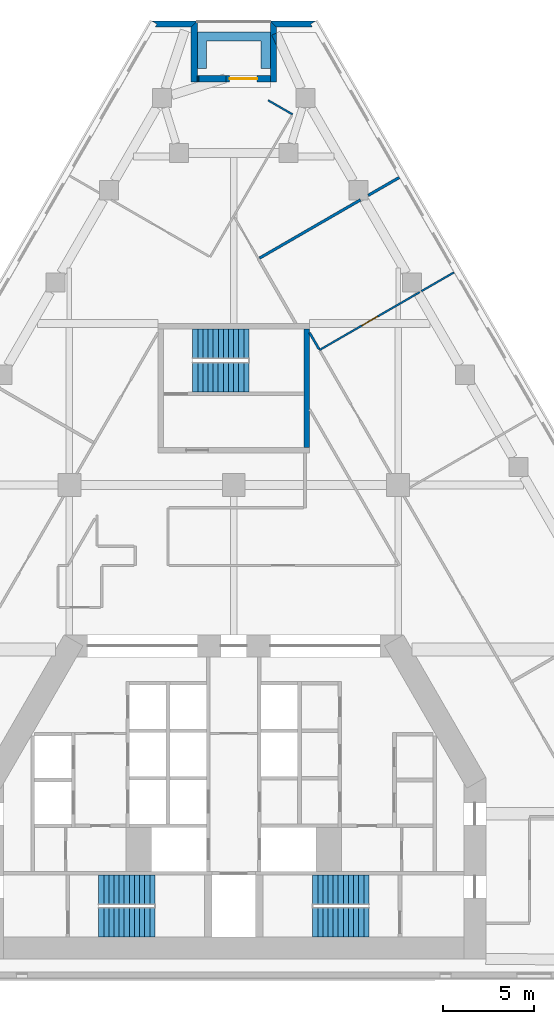
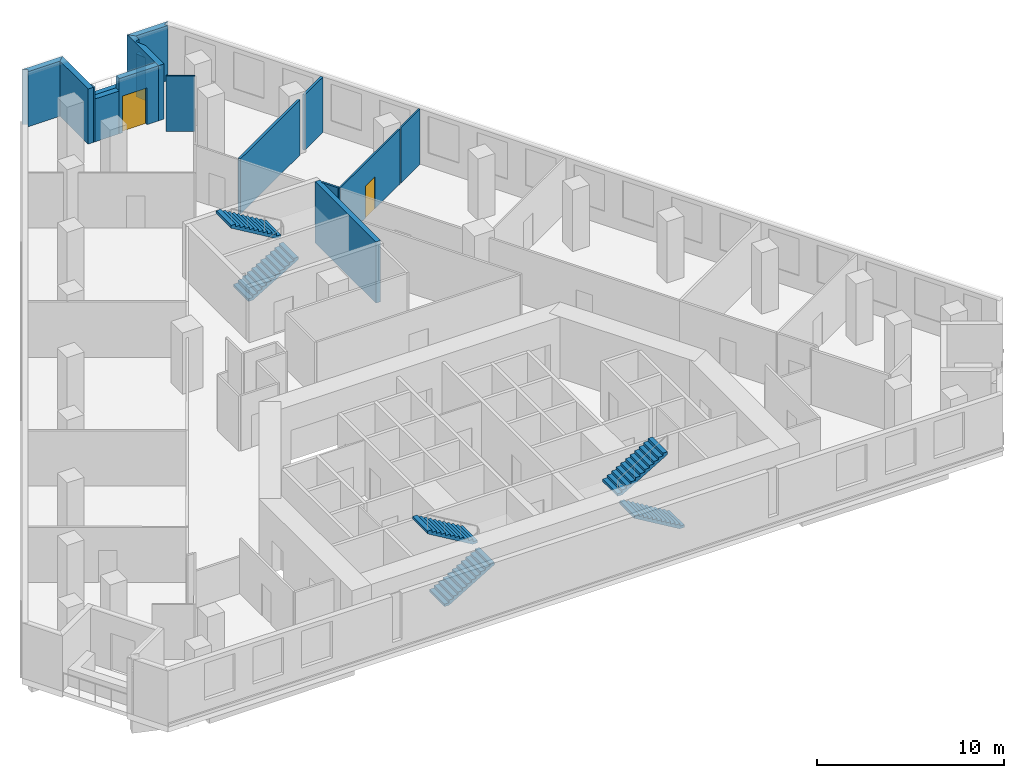
# One storey, part 9 of 10: 16 walls, 6 stair flights, 2 doors, 2 openings, 3 elements without a shape of their own.
"""IFC4 building model written with IfcOpenShell, lengths in metres."""

from ifc_helpers import new_model, si_unit, direction, frame, frame_2d, origin, place, context, subcontext, project, spatial, polyline, rectangle, outline, extrude, material, layer, layer_set, type_object, element, fill, aggregate, save


model = new_model("IFC4")

# Units and contexts
model_context = context("Model", 3, precision=1e-05, world=origin(), true_north=direction((0.0, 1.0)))
body_context = subcontext(model_context, "Body", "Model", "MODEL_VIEW")
ifc_project = project(units=[si_unit("LENGTHUNIT", "METRE"), si_unit("AREAUNIT", "SQUARE_METRE"), si_unit("VOLUMEUNIT", "CUBIC_METRE"), si_unit("PLANEANGLEUNIT", "RADIAN"), si_unit("MASSUNIT", "GRAM", prefix="KILO")], contexts=[model_context])

# Site, building, storey
site_placement = place(None, origin())
site = spatial("IfcSite", under=ifc_project, at=site_placement, CompositionType="ELEMENT")
building_placement = place(site_placement, origin())
building = spatial("IfcBuilding", under=site, at=building_placement, Name="Fogline Exchange Tower", CompositionType="ELEMENT")
storey_placement = place(building_placement, frame((0.0, 0.0, 116.10009765625)))
storey = spatial("IfcBuildingStorey", under=building, at=storey_placement, Name="L25", CompositionType="ELEMENT", Elevation=116.10009765625)

# Walls
ifc_material_1 = material(Name="Concrete C40", Category="concrete")
ifc_layer_1 = layer(ifc_material_1, 0.300048828125)
ifc_layer_set_1 = layer_set([ifc_layer_1], Name="CW30")
wall_type_1 = type_object("IfcWallType", Name="CW30", PredefinedType="SOLIDWALL", material=ifc_layer_set_1)
wall_1_placement = place(storey_placement, frame((4.0, 29.056884765625, -0.400146484375), z_axis=(0.0, 0.0, 1.0), x_axis=(0.0, 1.0, 0.0)))
element("IfcWall", 1, at=wall_1_placement, inside=storey, type_object=wall_type_1, Name="Stair enclosure wall ST3", PredefinedType="SOLIDWALL", context=body_context, shape_type="SweptSolid", body=[
    extrude(rectangle(XDim=6.5, YDim=0.300048828125, at=frame_2d((3.25, 0.0))), origin(), (0.0, 0.0, 1.0), 4.0),
])
ifc_material_2 = material(Name="Brick masonry", Category="masonry")
ifc_layer_2 = layer(ifc_material_2, 0.340087890625)
ifc_layer_set_2 = layer_set([ifc_layer_2], Name="FW1")
wall_type_2 = type_object("IfcWallType", Name="FW1", PredefinedType="SOLIDWALL", material=ifc_layer_set_2)
wall_2_placement = place(storey_placement, origin())
element("IfcWall", 2, at=wall_2_placement, inside=storey, type_object=wall_type_2, Name="Brick wall L25 N-c1", PredefinedType="SOLIDWALL", context=body_context, shape_type="SweptSolid", body=[
    extrude(outline(polyline([(1.9990234375, 52.42236328125), (4.5009765625, 52.42236328125), (4.501220703125, 52.421630859375), (4.206298828125, 52.25146484375), (4.3046875, 52.0810546875), (2.33984375, 52.0810546875), (1.998779296875, 52.421875), (1.9990234375, 52.42236328125)])), origin(), (0.0, 0.0, 1.0), 3.599853515625),
])
wall_3_placement = place(storey_placement, origin())
element("IfcWall", 3, at=wall_3_placement, inside=storey, type_object=wall_type_2, Name="Brick wall L25 N-s1", PredefinedType="SOLIDWALL", context=body_context, shape_type="SweptSolid", body=[
    extrude(outline(polyline([(2.340576171875, 51.06884765625), (2.079345703125, 51.642578125), (2.340576171875, 51.761474609375), (2.340576171875, 51.06884765625)])), origin(), (0.0, 0.0, 1.0), 2.7998046875),
])
wall_4_placement = place(storey_placement, origin())
element("IfcWall", 4, at=wall_4_placement, inside=storey, type_object=wall_type_2, Name="Brick wall L25 N-s1", PredefinedType="SOLIDWALL", context=body_context, shape_type="SweptSolid", body=[
    extrude(outline(polyline([(1.99951171875, 49.0810546875), (1.99951171875, 52.422607421875), (1.999755859375, 52.4228515625), (2.340576171875, 52.081787109375), (2.340576171875, 51.761474609375), (2.079345703125, 51.642578125), (2.340576171875, 51.06884765625), (2.340576171875, 49.0810546875), (1.99951171875, 49.0810546875)])), origin(), (0.0, 0.0, 1.0), 3.599853515625),
])

# Wall, opening, door
wall_5_placement = place(storey_placement, frame((2.0, 49.251708984375, 0.0), z_axis=(0.0, 0.0, 1.0), x_axis=(-1.0, 0.0, 0.0)))
wall_5 = element("IfcWall", 5, at=wall_5_placement, inside=storey, type_object=wall_type_2, Name="Brick wall L25 N-bk", PredefinedType="SOLIDWALL", context=body_context, shape_type="SweptSolid", body=[
    extrude(rectangle(XDim=2.421142578125, YDim=0.340087890625, at=frame_2d((1.21044921875, 0.0))), origin(), (0.0, 0.0, 1.0), 3.599853515625),
])
opening_1_placement = place(wall_5_placement, frame((0.72119140625, 0.0, 0.0)))
opening_1 = element("IfcOpeningElement", 6, at=opening_1_placement, cuts=wall_5, Name="Opening T07-E141", PredefinedType="OPENING", context=body_context, shape_type="SweptSolid", body=[
    extrude(rectangle(XDim=1.5, YDim=2.39990234375, at=frame_2d((0.75, 1.199951171875))), frame((0.0, 0.18017578125, 0.0), z_axis=(0.0, -1.0, 0.0), x_axis=(1.0, 0.0, 0.0)), (0.0, 0.0, 1.0), 0.360107421875),
])
ifc_material_3 = material(Name="Aluminium and glass", Category="aluminium")
door_type_1 = type_object("IfcDoorType", Name="ED4", OperationType="SINGLE_SWING_LEFT", PredefinedType="DOOR", material=ifc_material_3)
door_1_placement = place(opening_1_placement, frame((1.5, 0.0, 0.0), z_axis=(0.0, 0.0, 1.0), x_axis=(-1.0, 0.0, 0.0)))
door_1 = element("IfcDoor", 7, at=door_1_placement, inside=storey, type_object=door_type_1, Name="Balcony door L25 N", OperationType="DOUBLE_DOOR_SINGLE_SWING", OverallHeight=2.39990234375, OverallWidth=1.5, PredefinedType="DOOR", context=body_context, shape_type="SweptSolid", body=[
    extrude(rectangle(XDim=1.5, YDim=2.39990234375, at=frame_2d((0.75, 1.199951171875))), frame((0.0, 0.02490234375, 0.0), z_axis=(0.0, -1.0, 0.0), x_axis=(1.0, 0.0, 0.0)), (0.0, 0.0, 1.0), 0.050048828125),
])
fill(opening_1, door_1)

# Walls
wall_6_placement = place(storey_placement, frame((-0.421142578125, 49.251708984375, 0.0), z_axis=(0.0, 0.0, 1.0), x_axis=(-1.0, 0.0, 0.0)))
element("IfcWall", 8, at=wall_6_placement, inside=storey, type_object=wall_type_2, Name="Brick wall L25 N-bk", PredefinedType="SOLIDWALL", context=body_context, shape_type="SweptSolid", body=[
    extrude(rectangle(XDim=1.50830078125, YDim=0.340087890625, at=frame_2d((0.754150390625, 0.0))), origin(), (0.0, 0.0, 1.0), 2.7998046875),
])
wall_7_placement = place(storey_placement, frame((-1.929443359375, 49.251708984375, 0.0), z_axis=(0.0, 0.0, 1.0), x_axis=(-1.0, 0.0, 0.0)))
element("IfcWall", 9, at=wall_7_placement, inside=storey, type_object=wall_type_2, Name="Brick wall L25 N-bk", PredefinedType="SOLIDWALL", context=body_context, shape_type="SweptSolid", body=[
    extrude(rectangle(XDim=0.070556640625, YDim=0.340087890625, at=frame_2d((0.03515625, 0.0))), origin(), (0.0, 0.0, 1.0), 3.599853515625),
])
wall_8_placement = place(storey_placement, origin())
element("IfcWall", 10, at=wall_8_placement, inside=storey, type_object=wall_type_2, Name="Brick wall L25 N-s2", PredefinedType="SOLIDWALL", context=body_context, shape_type="SweptSolid", body=[
    extrude(outline(polyline([(-1.99951171875, 52.422607421875), (-1.99951171875, 49.0810546875), (-2.340576171875, 49.0810546875), (-2.340576171875, 52.081787109375), (-1.999755859375, 52.4228515625), (-1.99951171875, 52.422607421875)])), origin(), (0.0, 0.0, 1.0), 3.599853515625),
])
wall_9_placement = place(storey_placement, origin())
element("IfcWall", 11, at=wall_9_placement, inside=storey, type_object=wall_type_2, Name="Brick wall L25 N-c2", PredefinedType="SOLIDWALL", context=body_context, shape_type="SweptSolid", body=[
    extrude(outline(polyline([(-4.3046875, 52.0810546875), (-4.206298828125, 52.25146484375), (-4.501220703125, 52.421630859375), (-4.5009765625, 52.42236328125), (-1.9990234375, 52.42236328125), (-1.998779296875, 52.421875), (-2.33984375, 52.0810546875), (-4.3046875, 52.0810546875)])), origin(), (0.0, 0.0, 1.0), 3.599853515625),
])
ifc_material_4 = material(Name="Concrete C30", Category="concrete")
ifc_layer_3 = layer(ifc_material_4, 0.199951171875)
ifc_layer_set_3 = layer_set([ifc_layer_3], Name="PL1")
wall_type_3 = type_object("IfcWallType", Name="PL1", PredefinedType="USERDEFINED", material=ifc_layer_set_3)
wall_10_placement = place(storey_placement, origin())
element("IfcWall", 12, at=wall_10_placement, inside=storey, type_object=wall_type_3, Name="PLANTER balcony L25 N", ObjectType="PLANTER", PredefinedType="USERDEFINED", context=body_context, shape_type="SweptSolid", body=[
    extrude(outline(polyline([(-1.5, 51.82177734375), (-2.0, 51.82177734375), (-2.0, 51.32177734375), (-2.0, 49.82177734375), (-1.5, 49.82177734375), (-1.5, 51.32177734375), (1.5, 51.32177734375), (1.5, 49.82177734375), (2.0, 49.82177734375), (2.0, 51.32177734375), (2.0, 51.82177734375), (1.5, 51.82177734375), (-1.5, 51.82177734375)])), origin(), (0.0, 0.0, 1.0), 1.099853515625),
])

# Wall, opening, door
ifc_material_5 = material(Name="Plasterboard partition, 2 layers each side on steel studs", Category="steel")
ifc_layer_4 = layer(ifc_material_5, 0.10009765625)
ifc_layer_set_4 = layer_set([ifc_layer_4], Name="PW1")
wall_type_4 = type_object("IfcWallType", Name="PW1", PredefinedType="PARTITIONING", material=ifc_layer_set_4)
wall_11_placement = place(storey_placement, frame((4.697265625, 34.39990234375, 0.0), z_axis=(0.0, 0.0, 1.0), x_axis=(0.866029176715, 0.499993465035, 0.0)))
wall_11 = element("IfcWall", 13, at=wall_11_placement, inside=storey, type_object=wall_type_4, Name="wall-L25-W035", PredefinedType="PARTITIONING", context=body_context, shape_type="SweptSolid", body=[
    extrude(rectangle(XDim=6.34228515625, YDim=0.10009765625, at=frame_2d((3.171142578125, 0.0))), origin(), (0.0, 0.0, 1.0), 3.599853515625),
])
opening_2_placement = place(wall_11_placement, frame((2.671142578125, 0.0, 0.0)))
opening_2 = element("IfcOpeningElement", 14, at=opening_2_placement, cuts=wall_11, Name="Opening T07-D014", PredefinedType="OPENING", context=body_context, shape_type="SweptSolid", body=[
    extrude(rectangle(XDim=1.0, YDim=2.10009765625, at=frame_2d((0.5, 1.050048828125))), frame((0.0, 0.06005859375, 0.0), z_axis=(0.0, -1.0, 0.0), x_axis=(1.0, 0.0, 0.0)), (0.0, 0.0, 1.0), 0.1201171875),
])
ifc_material_6 = material(Name="Timber door leaf with steel frame", Category="steel")
door_type_2 = type_object("IfcDoorType", Name="D1", OperationType="SINGLE_SWING_LEFT", PredefinedType="DOOR", material=ifc_material_6)
door_2_placement = place(opening_2_placement, origin())
door_2 = element("IfcDoor", 15, at=door_2_placement, inside=storey, type_object=door_type_2, Name="door-L25-D014", OperationType="SINGLE_SWING_LEFT", OverallHeight=2.10009765625, OverallWidth=1.0, PredefinedType="DOOR", context=body_context, shape_type="SweptSolid", body=[
    extrude(rectangle(XDim=1.0, YDim=2.10009765625, at=frame_2d((0.5, 1.050048828125))), frame((0.0, 0.02490234375, 0.0), z_axis=(0.0, -1.0, 0.0), x_axis=(1.0, 0.0, 0.0)), (0.0, 0.0, 1.0), 0.050048828125),
])
fill(opening_2, door_2)

# Walls
wall_12_placement = place(storey_placement, frame((10.279296875, 37.62255859375, 0.0), z_axis=(0.0, 0.0, 1.0), x_axis=(0.866011447264, 0.500024172624, 0.0)))
element("IfcWall", 16, at=wall_12_placement, inside=storey, type_object=wall_type_4, Name="wall-L25-W036", PredefinedType="PARTITIONING", context=body_context, shape_type="SweptSolid", body=[
    extrude(rectangle(XDim=2.0546875, YDim=0.10009765625, at=frame_2d((1.02734375, 0.0))), origin(), (0.0, 0.0, 1.0), 3.599853515625),
])
wall_13_placement = place(storey_placement, frame((3.215087890625, 47.30419921875, 0.0), z_axis=(0.0, 0.0, 1.0), x_axis=(-0.865977637699, 0.500082724161, 0.0)))
element("IfcWall", 17, at=wall_13_placement, inside=storey, type_object=wall_type_4, Name="wall-L25-W041", PredefinedType="PARTITIONING", context=body_context, shape_type="SweptSolid", body=[
    extrude(rectangle(XDim=1.544677734375, YDim=0.10009765625, at=frame_2d((0.7724609375, 0.0))), origin(), (0.0, 0.0, 1.0), 3.599853515625),
])
ifc_material_7 = material(Name="Plasterboard corridor partition with mineral wool, 2 layers each side")
ifc_layer_5 = layer(ifc_material_7, 0.125)
ifc_layer_set_5 = layer_set([ifc_layer_5], Name="PW2")
wall_type_5 = type_object("IfcWallType", Name="PW2", PredefinedType="PARTITIONING", material=ifc_layer_set_5)
wall_14_placement = place(storey_placement, frame((4.14990234375, 35.347900390625, 0.0), z_axis=(0.0, 0.0, 1.0), x_axis=(0.500086724125, -0.865975327797, 0.0)))
element("IfcWall", 18, at=wall_14_placement, inside=storey, type_object=wall_type_5, Name="wall-L25-W024", PredefinedType="PARTITIONING", context=body_context, shape_type="SweptSolid", body=[
    extrude(rectangle(XDim=1.044189453125, YDim=0.125, at=frame_2d((0.52197265625, 0.0))), origin(), (0.0, 0.0, 1.0), 3.599853515625),
])
ifc_material_8 = material(Name="Plasterboard demising partition with mineral wool and acoustic board")
ifc_layer_6 = layer(ifc_material_8, 0.14990234375)
ifc_layer_set_6 = layer_set([ifc_layer_6], Name="PW3")
wall_type_6 = type_object("IfcWallType", Name="PW3", PredefinedType="PARTITIONING", material=ifc_layer_set_6)
wall_15_placement = place(storey_placement, frame((1.416015625, 39.43359375, 0.0), z_axis=(0.0, 0.0, 1.0), x_axis=(0.866021695028, 0.5000064237, 0.0)))
element("IfcWall", 19, at=wall_15_placement, inside=storey, type_object=wall_type_6, Name="wall-L25-W037", PredefinedType="PARTITIONING", context=body_context, shape_type="SweptSolid", body=[
    extrude(rectangle(XDim=6.37548828125, YDim=0.14990234375, at=frame_2d((3.187744140625, 0.0))), origin(), (0.0, 0.0, 1.0), 3.599853515625),
])
wall_16_placement = place(storey_placement, frame((7.36328125, 42.867431640625, 0.0), z_axis=(0.0, 0.0, 1.0), x_axis=(0.866085900082, 0.499895202697, 0.0)))
element("IfcWall", 20, at=wall_16_placement, inside=storey, type_object=wall_type_6, Name="wall-L25-W038", PredefinedType="PARTITIONING", context=body_context, shape_type="SweptSolid", body=[
    extrude(rectangle(XDim=1.95751953125, YDim=0.14990234375, at=frame_2d((0.978759765625, 0.0))), origin(), (0.0, 0.0, 1.0), 3.599853515625),
])

# Stair, stair flights
stair_type = type_object("IfcStairType", Name="STR24-1667", PredefinedType="HALF_TURN_STAIR", material=ifc_material_1)
stair_1_placement = place(storey_placement, origin())
stair_1 = element("IfcStair", 21, at=stair_1_placement, inside=storey, type_object=stair_type, Name="Stair ST1", PredefinedType="HALF_TURN_STAIR")
stair_flight_type = type_object("IfcStairFlightType", Name="SF12-1667", PredefinedType="STRAIGHT", material=ifc_material_1)
stair_flight_1_placement = place(storey_placement, frame((-7.39990234375, 3.050048828125, 0.0), z_axis=(0.0, 0.0, 1.0), x_axis=(1.0, 0.0, 0.0)))
stair_flight_1 = element("IfcStairFlight", 22, at=stair_flight_1_placement, type_object=stair_flight_type, Name="ST1 flight 1", NumberOfRisers=12, NumberOfTreads=11, PredefinedType="STRAIGHT", RiserHeight=0.166666667, TreadLength=0.28, context=body_context, shape_type="SweptSolid", body=[
    extrude(outline(polyline([(0.0, 0.0), (0.0, 0.166748046875), (0.280029296875, 0.166748046875), (0.280029296875, 0.333251953125), (0.56005859375, 0.333251953125), (0.56005859375, 0.5), (0.840087890625, 0.5), (0.840087890625, 0.666748046875), (1.1201171875, 0.666748046875), (1.1201171875, 0.833251953125), (1.39990234375, 0.833251953125), (1.39990234375, 1.0), (1.679931640625, 1.0), (1.679931640625, 1.166748046875), (1.9599609375, 1.166748046875), (1.9599609375, 1.333251953125), (2.239990234375, 1.333251953125), (2.239990234375, 1.5), (2.52001953125, 1.5), (2.52001953125, 1.666748046875), (2.800048828125, 1.666748046875), (2.800048828125, 1.833251953125), (3.080078125, 1.833251953125), (3.080078125, 2.0), (3.080078125, 1.658935546875), (0.29296875, 0.0), (0.0, 0.0)])), frame((0.0, 0.800048828125, 0.0), z_axis=(0.0, -1.0, 0.0), x_axis=(1.0, 0.0, 0.0)), (0.0, 0.0, 1.0), 1.60009765625),
])
stair_flight_2_placement = place(storey_placement, frame((-4.320068359375, 4.85009765625, 2.0), z_axis=(0.0, 0.0, 1.0), x_axis=(-1.0, 0.0, 0.0)))
stair_flight_2 = element("IfcStairFlight", 23, at=stair_flight_2_placement, type_object=stair_flight_type, Name="ST1 flight 2", NumberOfRisers=12, NumberOfTreads=11, PredefinedType="STRAIGHT", RiserHeight=0.166666667, TreadLength=0.28, context=body_context, shape_type="SweptSolid", body=[
    extrude(outline(polyline([(0.0, 0.0), (0.0, 0.166748046875), (0.280029296875, 0.166748046875), (0.280029296875, 0.333251953125), (0.56005859375, 0.333251953125), (0.56005859375, 0.5), (0.840087890625, 0.5), (0.840087890625, 0.666748046875), (1.1201171875, 0.666748046875), (1.1201171875, 0.833251953125), (1.39990234375, 0.833251953125), (1.39990234375, 1.0), (1.679931640625, 1.0), (1.679931640625, 1.166748046875), (1.9599609375, 1.166748046875), (1.9599609375, 1.333251953125), (2.239990234375, 1.333251953125), (2.239990234375, 1.5), (2.52001953125, 1.5), (2.52001953125, 1.666748046875), (2.800048828125, 1.666748046875), (2.800048828125, 1.833251953125), (3.080078125, 1.833251953125), (3.080078125, 2.0), (3.080078125, 1.658935546875), (0.29296875, 0.0), (0.0, 0.0)])), frame((0.0, 0.800048828125, 0.0), z_axis=(0.0, -1.0, 0.0), x_axis=(1.0, 0.0, 0.0)), (0.0, 0.0, 1.0), 1.60009765625),
])
aggregate(stair_1, [stair_flight_1, stair_flight_2])

stair_2_placement = place(storey_placement, origin())
stair_2 = element("IfcStair", 24, at=stair_2_placement, inside=storey, type_object=stair_type, Name="Stair ST2", PredefinedType="HALF_TURN_STAIR")
stair_flight_3_placement = place(storey_placement, frame((7.39990234375, 3.050048828125, 0.0), z_axis=(0.0, 0.0, 1.0), x_axis=(-1.0, 0.0, 0.0)))
stair_flight_3 = element("IfcStairFlight", 25, at=stair_flight_3_placement, type_object=stair_flight_type, Name="ST2 flight 1", NumberOfRisers=12, NumberOfTreads=11, PredefinedType="STRAIGHT", RiserHeight=0.166666667, TreadLength=0.28, context=body_context, shape_type="SweptSolid", body=[
    extrude(outline(polyline([(0.0, 0.0), (0.0, 0.166748046875), (0.280029296875, 0.166748046875), (0.280029296875, 0.333251953125), (0.56005859375, 0.333251953125), (0.56005859375, 0.5), (0.840087890625, 0.5), (0.840087890625, 0.666748046875), (1.1201171875, 0.666748046875), (1.1201171875, 0.833251953125), (1.39990234375, 0.833251953125), (1.39990234375, 1.0), (1.679931640625, 1.0), (1.679931640625, 1.166748046875), (1.9599609375, 1.166748046875), (1.9599609375, 1.333251953125), (2.239990234375, 1.333251953125), (2.239990234375, 1.5), (2.52001953125, 1.5), (2.52001953125, 1.666748046875), (2.800048828125, 1.666748046875), (2.800048828125, 1.833251953125), (3.080078125, 1.833251953125), (3.080078125, 2.0), (3.080078125, 1.658935546875), (0.29296875, 0.0), (0.0, 0.0)])), frame((0.0, 0.800048828125, 0.0), z_axis=(0.0, -1.0, 0.0), x_axis=(1.0, 0.0, 0.0)), (0.0, 0.0, 1.0), 1.60009765625),
])
stair_flight_4_placement = place(storey_placement, frame((4.320068359375, 4.85009765625, 2.0), z_axis=(0.0, 0.0, 1.0), x_axis=(1.0, 0.0, 0.0)))
stair_flight_4 = element("IfcStairFlight", 26, at=stair_flight_4_placement, type_object=stair_flight_type, Name="ST2 flight 2", NumberOfRisers=12, NumberOfTreads=11, PredefinedType="STRAIGHT", RiserHeight=0.166666667, TreadLength=0.28, context=body_context, shape_type="SweptSolid", body=[
    extrude(outline(polyline([(0.0, 0.0), (0.0, 0.166748046875), (0.280029296875, 0.166748046875), (0.280029296875, 0.333251953125), (0.56005859375, 0.333251953125), (0.56005859375, 0.5), (0.840087890625, 0.5), (0.840087890625, 0.666748046875), (1.1201171875, 0.666748046875), (1.1201171875, 0.833251953125), (1.39990234375, 0.833251953125), (1.39990234375, 1.0), (1.679931640625, 1.0), (1.679931640625, 1.166748046875), (1.9599609375, 1.166748046875), (1.9599609375, 1.333251953125), (2.239990234375, 1.333251953125), (2.239990234375, 1.5), (2.52001953125, 1.5), (2.52001953125, 1.666748046875), (2.800048828125, 1.666748046875), (2.800048828125, 1.833251953125), (3.080078125, 1.833251953125), (3.080078125, 2.0), (3.080078125, 1.658935546875), (0.29296875, 0.0), (0.0, 0.0)])), frame((0.0, 0.800048828125, 0.0), z_axis=(0.0, -1.0, 0.0), x_axis=(1.0, 0.0, 0.0)), (0.0, 0.0, 1.0), 1.60009765625),
])
aggregate(stair_2, [stair_flight_3, stair_flight_4])

stair_3_placement = place(storey_placement, origin())
stair_3 = element("IfcStair", 27, at=stair_3_placement, inside=storey, type_object=stair_type, Name="Stair ST3", PredefinedType="HALF_TURN_STAIR")
stair_flight_5_placement = place(storey_placement, frame((-2.25, 32.906982421875, 0.0), z_axis=(0.0, 0.0, 1.0), x_axis=(1.0, 0.0, 0.0)))
stair_flight_5 = element("IfcStairFlight", 28, at=stair_flight_5_placement, type_object=stair_flight_type, Name="ST3 flight 1", NumberOfRisers=12, NumberOfTreads=11, PredefinedType="STRAIGHT", RiserHeight=0.166666667, TreadLength=0.28, context=body_context, shape_type="SweptSolid", body=[
    extrude(outline(polyline([(0.0, 0.0), (0.0, 0.166748046875), (0.280029296875, 0.166748046875), (0.280029296875, 0.333251953125), (0.56005859375, 0.333251953125), (0.56005859375, 0.5), (0.840087890625, 0.5), (0.840087890625, 0.666748046875), (1.1201171875, 0.666748046875), (1.1201171875, 0.833251953125), (1.39990234375, 0.833251953125), (1.39990234375, 1.0), (1.679931640625, 1.0), (1.679931640625, 1.166748046875), (1.9599609375, 1.166748046875), (1.9599609375, 1.333251953125), (2.239990234375, 1.333251953125), (2.239990234375, 1.5), (2.52001953125, 1.5), (2.52001953125, 1.666748046875), (2.800048828125, 1.666748046875), (2.800048828125, 1.833251953125), (3.080078125, 1.833251953125), (3.080078125, 2.0), (3.080078125, 1.658935546875), (0.29296875, 0.0), (0.0, 0.0)])), frame((0.0, 0.800048828125, 0.0), z_axis=(0.0, -1.0, 0.0), x_axis=(1.0, 0.0, 0.0)), (0.0, 0.0, 1.0), 1.60009765625),
])
stair_flight_6_placement = place(storey_placement, frame((0.830078125, 34.757080078125, 2.0), z_axis=(0.0, 0.0, 1.0), x_axis=(-1.0, 0.0, 0.0)))
stair_flight_6 = element("IfcStairFlight", 29, at=stair_flight_6_placement, type_object=stair_flight_type, Name="ST3 flight 2", NumberOfRisers=12, NumberOfTreads=11, PredefinedType="STRAIGHT", RiserHeight=0.166666667, TreadLength=0.28, context=body_context, shape_type="SweptSolid", body=[
    extrude(outline(polyline([(0.0, 0.0), (0.0, 0.166748046875), (0.280029296875, 0.166748046875), (0.280029296875, 0.333251953125), (0.56005859375, 0.333251953125), (0.56005859375, 0.5), (0.840087890625, 0.5), (0.840087890625, 0.666748046875), (1.1201171875, 0.666748046875), (1.1201171875, 0.833251953125), (1.39990234375, 0.833251953125), (1.39990234375, 1.0), (1.679931640625, 1.0), (1.679931640625, 1.166748046875), (1.9599609375, 1.166748046875), (1.9599609375, 1.333251953125), (2.239990234375, 1.333251953125), (2.239990234375, 1.5), (2.52001953125, 1.5), (2.52001953125, 1.666748046875), (2.800048828125, 1.666748046875), (2.800048828125, 1.833251953125), (3.080078125, 1.833251953125), (3.080078125, 2.0), (3.080078125, 1.658935546875), (0.29296875, 0.0), (0.0, 0.0)])), frame((0.0, 0.800048828125, 0.0), z_axis=(0.0, -1.0, 0.0), x_axis=(1.0, 0.0, 0.0)), (0.0, 0.0, 1.0), 1.60009765625),
])
aggregate(stair_3, [stair_flight_5, stair_flight_6])

save(model, "model.ifc")
